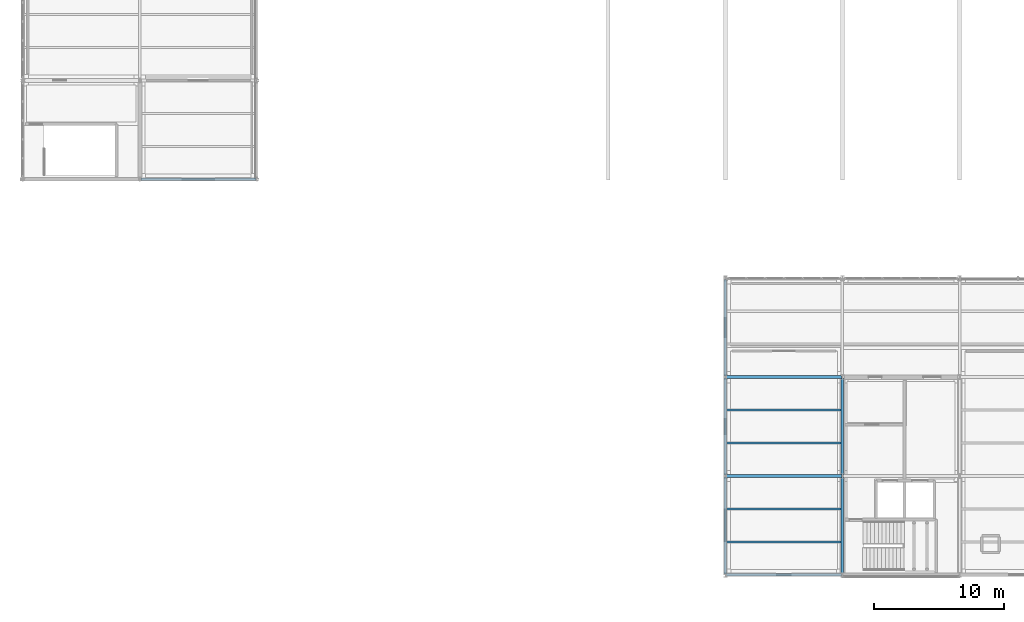
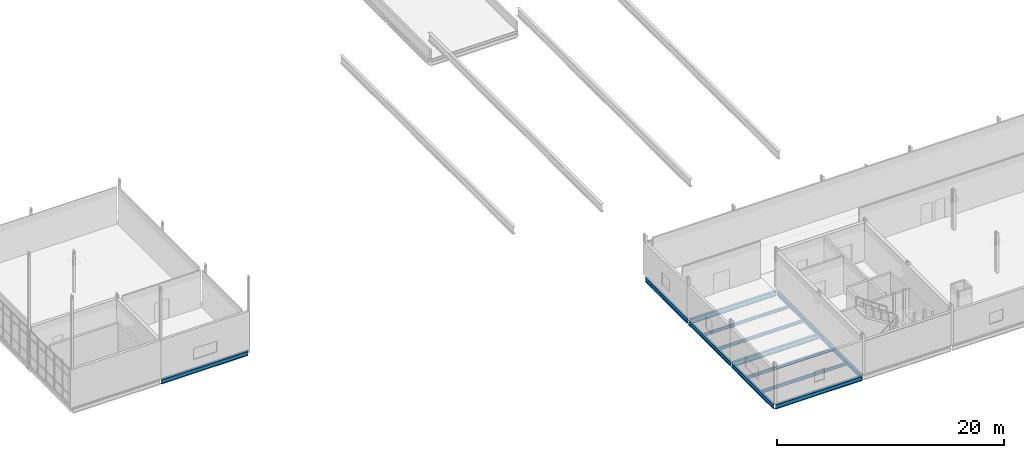
# One storey, part 16 of 96: 13 beams.
"""IFC4 building model written with IfcOpenShell, lengths in metres."""

from ifc_helpers import new_model, si_unit, direction, frame, origin, origin_2d, place, context, subcontext, project, spatial, i_section, extrude, material, material_profile, profile_set, type_object, element, save


model = new_model("IFC4")

# Units and contexts
model_context = context("Model", 3, precision=1e-05, world=origin(), true_north=direction((0.0, 1.0)))
body_context = subcontext(model_context, "Body", "Model", "MODEL_VIEW")
ifc_project = project(units=[si_unit("LENGTHUNIT", "METRE"), si_unit("AREAUNIT", "SQUARE_METRE"), si_unit("VOLUMEUNIT", "CUBIC_METRE"), si_unit("PLANEANGLEUNIT", "RADIAN"), si_unit("MASSUNIT", "GRAM", prefix="KILO")], contexts=[model_context])

# Site, building, storey
site_placement = place(None, origin())
site = spatial("IfcSite", under=ifc_project, at=site_placement, CompositionType="ELEMENT")
building_placement = place(site_placement, origin())
building = spatial("IfcBuilding", under=site, at=building_placement, Name="Caisbarro Railhouse Central Library", CompositionType="ELEMENT")
storey_placement = place(building_placement, frame((0.0, 0.0, 13.679931640625)))
storey = spatial("IfcBuildingStorey", under=building, at=storey_placement, Name="L03", CompositionType="ELEMENT", Elevation=13.679931640625)

# Beams
ifc_material = material(Name="Steel ASTM A572 Grade 50", Category="steel")
ifc_material_profile_1 = material_profile(ifc_material, i_section(OverallWidth=0.2119140625, OverallDepth=0.5439453125, WebThickness=0.01318359375, FlangeThickness=0.021240234375, FilletRadius=0.02001953125, at=origin_2d()), Name="W530X123.0")
ifc_profile_set_1 = profile_set([ifc_material_profile_1], Name="Steel ASTM A572 Grade 50")
beam_type_1 = type_object("IfcBeamType", Name="BM-G05", PredefinedType="BEAM", material=ifc_profile_set_1)
for number, where, z_axis, x_axis, name in (
    (1, (54.080078125, 7.60009765625, -0.511962890625), (1.0, 0.0, 0.0), (0.0, 1.0, 0.0), "G05 beam L03 #1761"),
    (2, (54.080078125, 15.199951171875, -0.511962890625), (1.0, 0.0, 0.0), (0.0, 1.0, 0.0), "G05 beam L03 #1767"),
):
    element("IfcBeam", number, at=place(storey_placement, frame(where, z_axis=z_axis, x_axis=x_axis)), inside=storey, type_object=beam_type_1, Name=name, PredefinedType="BEAM", context=body_context, shape_type="SweptSolid", body=[
        extrude(i_section(OverallWidth=0.2119140625, OverallDepth=0.5439453125, WebThickness=0.01318359375, FlangeThickness=0.021240234375, FilletRadius=0.02001953125, at=origin_2d()), origin(), (0.0, 0.0, 1.0), 8.83984375),
    ])
ifc_material_profile_2 = material_profile(ifc_material, i_section(OverallWidth=0.194091796875, OverallDepth=0.468994140625, WebThickness=0.0126953125, FlangeThickness=0.0205078125, FilletRadius=0.01806640625, at=origin_2d()), Name="W460X106.0")
ifc_profile_set_2 = profile_set([ifc_material_profile_2], Name="Steel ASTM A572 Grade 50")
beam_type_2 = type_object("IfcBeamType", Name="BM-G07", PredefinedType="BEAM", material=ifc_profile_set_2)
beam_1_placement = place(storey_placement, frame((54.0, 0.080078125, -0.474365234375), z_axis=(0.0, 1.0, 0.0), x_axis=(-1.0, 0.0, 0.0)))
element("IfcBeam", 3, at=beam_1_placement, inside=storey, type_object=beam_type_2, Name="G07 beam L03 #1779", PredefinedType="BEAM", context=body_context, shape_type="SweptSolid", body=[
    extrude(i_section(OverallWidth=0.194091796875, OverallDepth=0.468994140625, WebThickness=0.0126953125, FlangeThickness=0.0205078125, FilletRadius=0.01806640625, at=origin_2d()), origin(), (0.0, 0.0, 1.0), 7.43994140625),
])
beam_2_placement = place(storey_placement, frame((54.0, 7.679931640625, -0.474365234375), z_axis=(0.0, 1.0, 0.0), x_axis=(-1.0, 0.0, 0.0)))
element("IfcBeam", 4, at=beam_2_placement, inside=storey, type_object=beam_type_2, Name="G07 beam L03 #1780", PredefinedType="BEAM", context=body_context, shape_type="SweptSolid", body=[
    extrude(i_section(OverallWidth=0.194091796875, OverallDepth=0.468994140625, WebThickness=0.0126953125, FlangeThickness=0.0205078125, FilletRadius=0.01806640625, at=origin_2d()), origin(), (0.0, 0.0, 1.0), 7.440185546875),
])
for number, where, z_axis, x_axis, name in (
    (5, (54.0, 15.280029296875, -0.474365234375), (0.0, 1.0, 0.0), (-1.0, 0.0, 0.0), "G07 beam L03 #1781"),
    (6, (63.0, 0.080078125, -0.474365234375), (0.0, 1.0, 0.0), (-1.0, 0.0, 0.0), "G07 beam L03 #1782"),
):
    element("IfcBeam", number, at=place(storey_placement, frame(where, z_axis=z_axis, x_axis=x_axis)), inside=storey, type_object=beam_type_2, Name=name, PredefinedType="BEAM", context=body_context, shape_type="SweptSolid", body=[
        extrude(i_section(OverallWidth=0.194091796875, OverallDepth=0.468994140625, WebThickness=0.0126953125, FlangeThickness=0.0205078125, FilletRadius=0.01806640625, at=origin_2d()), origin(), (0.0, 0.0, 1.0), 7.43994140625),
    ])
beam_3_placement = place(storey_placement, frame((63.0, 7.679931640625, -0.474365234375), z_axis=(0.0, 1.0, 0.0), x_axis=(-1.0, 0.0, 0.0)))
element("IfcBeam", 7, at=beam_3_placement, inside=storey, type_object=beam_type_2, Name="G07 beam L03 #1783", PredefinedType="BEAM", context=body_context, shape_type="SweptSolid", body=[
    extrude(i_section(OverallWidth=0.194091796875, OverallDepth=0.468994140625, WebThickness=0.0126953125, FlangeThickness=0.0205078125, FilletRadius=0.01806640625, at=origin_2d()), origin(), (0.0, 0.0, 1.0), 7.440185546875),
])
ifc_material_profile_3 = material_profile(ifc_material, i_section(OverallWidth=0.1669921875, OverallDepth=0.31689453125, WebThickness=0.007568359375, FlangeThickness=0.01318359375, FilletRadius=0.011962890625, at=origin_2d()), Name="W310X52.0")
ifc_profile_set_3 = profile_set([ifc_material_profile_3], Name="Steel ASTM A572 Grade 50")
beam_type_3 = type_object("IfcBeamType", Name="BM-J02", PredefinedType="JOIST", material=ifc_profile_set_3)
for number, where, z_axis, x_axis, name in (
    (8, (54.096923828125, 2.533203125, -0.3984375), (1.0, 0.0, 0.0), (0.0, 1.0, 0.0), "J02 beam L03 #1800"),
    (9, (54.096923828125, 5.066650390625, -0.3984375), (1.0, 0.0, 0.0), (0.0, 1.0, 0.0), "J02 beam L03 #1801"),
    (10, (54.096923828125, 10.13330078125, -0.3984375), (1.0, 0.0, 0.0), (0.0, 1.0, 0.0), "J02 beam L03 #1802"),
    (11, (54.096923828125, 12.666748046875, -0.3984375), (1.0, 0.0, 0.0), (0.0, 1.0, 0.0), "J02 beam L03 #1803"),
):
    element("IfcBeam", number, at=place(storey_placement, frame(where, z_axis=z_axis, x_axis=x_axis)), inside=storey, type_object=beam_type_3, Name=name, PredefinedType="JOIST", context=body_context, shape_type="SweptSolid", body=[
        extrude(i_section(OverallWidth=0.1669921875, OverallDepth=0.31689453125, WebThickness=0.007568359375, FlangeThickness=0.01318359375, FilletRadius=0.011962890625, at=origin_2d()), origin(), (0.0, 0.0, 1.0), 8.80615234375),
    ])
ifc_material_profile_4 = material_profile(ifc_material, i_section(OverallWidth=0.18994140625, OverallDepth=0.45703125, WebThickness=0.009033203125, FlangeThickness=0.014404296875, FilletRadius=0.01806640625, at=origin_2d()), Name="W460X74.0")
ifc_profile_set_4 = profile_set([ifc_material_profile_4], Name="Steel ASTM A572 Grade 50")
beam_type_4 = type_object("IfcBeamType", Name="BM-SP01", PredefinedType="SPANDREL", material=ifc_profile_set_4)
for number, where, z_axis, x_axis, name in (
    (12, (54.080078125, 0.0, -0.468505859375), (1.0, 0.0, 0.0), (0.0, 1.0, 0.0), "SP01 beam L03 #1755"),
    (13, (9.080078125, 30.39990234375, -0.448486328125), (1.0, 0.0, 0.0), (0.0, 1.0, 0.0), "SP01 beam L03 #1829"),
):
    element("IfcBeam", number, at=place(storey_placement, frame(where, z_axis=z_axis, x_axis=x_axis)), inside=storey, type_object=beam_type_4, Name=name, PredefinedType="SPANDREL", context=body_context, shape_type="SweptSolid", body=[
        extrude(i_section(OverallWidth=0.18994140625, OverallDepth=0.45703125, WebThickness=0.009033203125, FlangeThickness=0.014404296875, FilletRadius=0.01806640625, at=origin_2d()), origin(), (0.0, 0.0, 1.0), 8.83984375),
    ])

save(model, "model.ifc")
